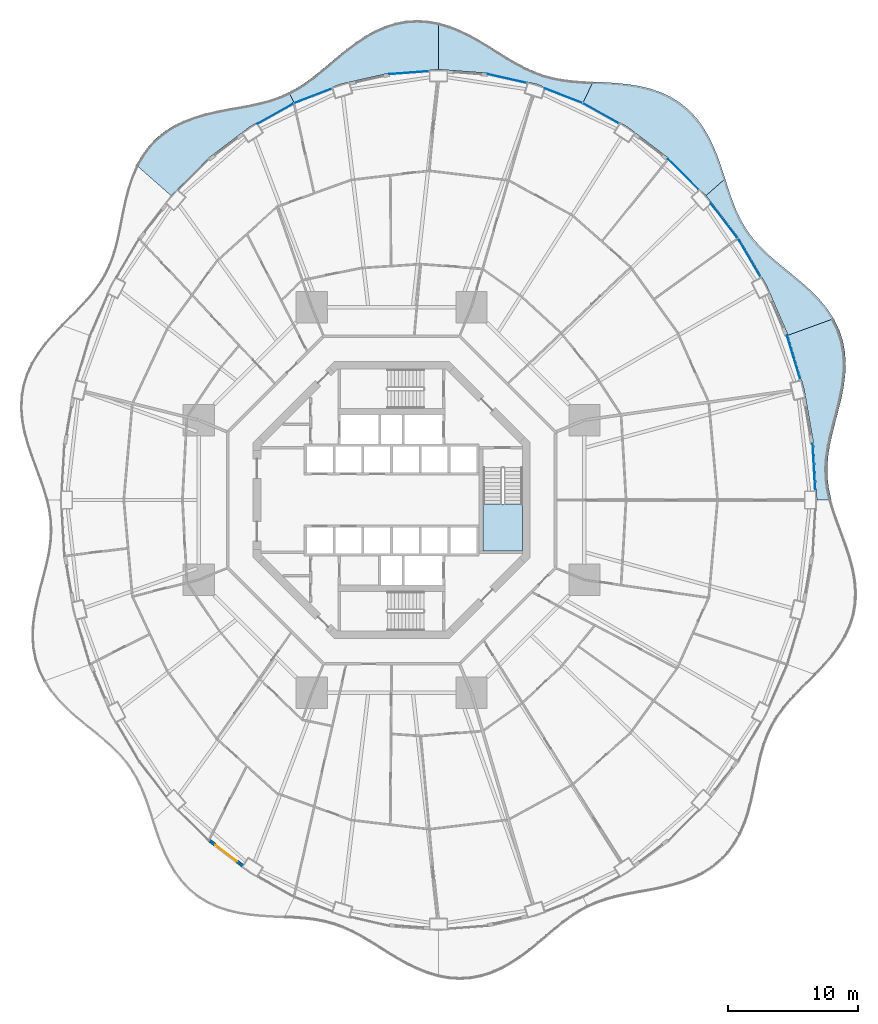
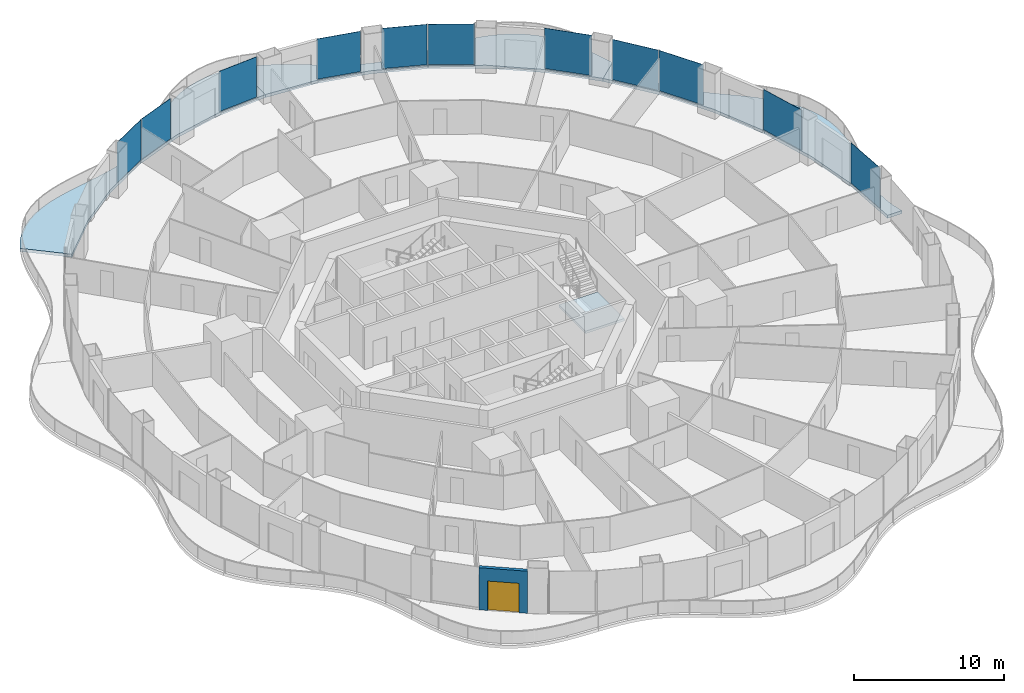
# One storey, part 13 of 22: 11 plates, 7 slabs, 1 door, 1 wall, 1 opening, 12 elements without a shape of their own.
"""IFC4 building model written with IfcOpenShell, lengths in metres."""

from ifc_helpers import new_model, si_unit, direction, frame, frame_2d, origin, origin_2d, place, context, subcontext, project, spatial, polyline, rectangle, outline, extrude, material, layer, layer_set, type_object, element, fill, aggregate, save


model = new_model("IFC4")

# Units and contexts
model_context = context("Model", 3, precision=1e-05, world=origin(), true_north=direction((0.0, 1.0)))
body_context = subcontext(model_context, "Body", "Model", "MODEL_VIEW")
ifc_project = project(units=[si_unit("LENGTHUNIT", "METRE"), si_unit("AREAUNIT", "SQUARE_METRE"), si_unit("VOLUMEUNIT", "CUBIC_METRE"), si_unit("PLANEANGLEUNIT", "RADIAN"), si_unit("MASSUNIT", "GRAM", prefix="KILO")], contexts=[model_context])

# Site, building, storey
site_placement = place(None, origin())
site = spatial("IfcSite", under=ifc_project, at=site_placement, CompositionType="ELEMENT")
building_placement = place(site_placement, origin())
building = spatial("IfcBuilding", under=site, at=building_placement, Name="Nagisa Residences", CompositionType="ELEMENT")
storey_placement = place(building_placement, frame((0.0, 0.0, 41.800048828125)))
storey = spatial("IfcBuildingStorey", under=building, at=storey_placement, Name="L09", CompositionType="ELEMENT", Elevation=41.800048828125)

# Slabs
ifc_material_1 = material(Name="Concrete C40/50", Category="concrete")
ifc_layer_1 = layer(ifc_material_1, 0.25)
ifc_layer_set_1 = layer_set([ifc_layer_1], Name="BALCONY SLAB 250")
slab_type_1 = type_object("IfcSlabType", Name="BALCONY SLAB 250", PredefinedType="FLOOR", material=ifc_layer_set_1)
slab_1_placement = place(storey_placement, frame((0.0, 0.0, -0.25)))
element("IfcSlab", 1, at=slab_1_placement, inside=storey, type_object=slab_type_1, Name="slab:L09:bal00", PredefinedType="FLOOR", context=body_context, shape_type="SweptSolid", body=[
    extrude(outline(polyline([(33.70654296875, 0.0), (33.52392578125, 0.8251953125), (33.418701171875, 1.646728515625), (33.39599609375, 2.470703125), (33.4541015625, 3.302734375), (33.583984375, 4.148193359375), (33.77099609375, 5.0107421875), (33.9951171875, 5.891845703125), (34.232666015625, 6.791259765625), (34.457763671875, 7.705322265625), (34.644287109375, 8.62890625), (34.76806640625, 9.554443359375), (34.8076171875, 10.4736328125), (34.746826171875, 11.376708984375), (34.574951171875, 12.254150390625), (34.288330078125, 13.097900390625), (33.889404296875, 13.9013671875), (30.392578125, 12.628662109375), (31.61181640625, 8.541015625), (32.351806640625, 4.307373046875), (32.60009765625, 0.0), (33.70654296875, 0.0)])), origin(), (0.0, 0.0, 1.0), 0.25),
])
slab_2_placement = place(storey_placement, frame((0.0, 0.0, -0.25)))
element("IfcSlab", 2, at=slab_2_placement, inside=storey, type_object=slab_type_1, Name="slab:L09:bal01", PredefinedType="FLOOR", context=body_context, shape_type="SweptSolid", body=[
    extrude(outline(polyline([(33.889404296875, 13.9013671875), (33.404541015625, 14.6376953125), (32.836669921875, 15.331298828125), (32.203369140625, 15.98388671875), (31.525146484375, 16.6005859375), (30.82421875, 17.18896484375), (30.12255859375, 17.75830078125), (29.440673828125, 18.320556640625), (28.796142578125, 18.8876953125), (28.20263671875, 19.4716796875), (27.669189453125, 20.083984375), (27.198974609375, 20.733154296875), (26.79052734375, 21.425537109375), (26.4365234375, 22.163818359375), (26.12548828125, 22.94677734375), (25.84228515625, 23.7685546875), (25.5693359375, 24.620361328125), (24.106201171875, 23.33447265625), (26.607177734375, 20.089111328125), (28.71484375, 16.5), (30.392578125, 12.628662109375), (33.889404296875, 13.9013671875)])), origin(), (0.0, 0.0, 1.0), 0.25),
])
slab_3_placement = place(storey_placement, frame((0.0, 0.0, -0.25)))
element("IfcSlab", 3, at=slab_3_placement, inside=storey, type_object=slab_type_1, Name="slab:L09:bal02", PredefinedType="FLOOR", context=body_context, shape_type="SweptSolid", body=[
    extrude(outline(polyline([(25.5693359375, 24.620361328125), (25.30126953125, 25.4482421875), (25.00927734375, 26.277587890625), (24.67822265625, 27.09375), (24.295654296875, 27.880859375), (23.851318359375, 28.623046875), (23.339111328125, 29.306396484375), (22.75634765625, 29.91845703125), (22.10400390625, 30.450439453125), (21.386962890625, 30.897216796875), (20.613525390625, 31.25732421875), (19.793701171875, 31.534423828125), (18.93994140625, 31.73583984375), (18.065185546875, 31.873046875), (17.18212890625, 31.960693359375), (16.302978515625, 32.01611328125), (15.4375, 32.0576171875), (14.69775390625, 30.488037109375), (18.10009765625, 28.578857421875), (21.254150390625, 26.1806640625), (24.106201171875, 23.33447265625), (25.5693359375, 24.620361328125)])), origin(), (0.0, 0.0, 1.0), 0.25),
])
slab_4_placement = place(storey_placement, frame((0.0, 0.0, -0.25)))
element("IfcSlab", 4, at=slab_4_placement, inside=storey, type_object=slab_type_1, Name="slab:L09:bal03", PredefinedType="FLOOR", context=body_context, shape_type="SweptSolid", body=[
    extrude(outline(polyline([(15.4375, 32.0576171875), (14.623779296875, 32.101806640625), (13.83447265625, 32.166259765625), (13.0712890625, 32.264892578125), (12.333984375, 32.408935546875), (11.619140625, 32.606201171875), (10.922119140625, 32.860107421875), (10.236328125, 33.17041015625), (9.5546875, 33.53173828125), (8.869873046875, 33.93505859375), (8.175048828125, 34.3671875), (7.464599609375, 34.812744140625), (6.734375, 35.25341796875), (5.981689453125, 35.670166015625), (5.206787109375, 36.0439453125), (4.41162109375, 36.35693359375), (3.60009765625, 36.593505859375), (3.60009765625, 33.0), (7.38525390625, 32.7177734375), (11.105712890625, 31.87548828125), (14.69775390625, 30.488037109375), (15.4375, 32.0576171875)])), origin(), (0.0, 0.0, 1.0), 0.25),
])
slab_5_placement = place(storey_placement, frame((0.0, 0.0, -0.25)))
element("IfcSlab", 5, at=slab_5_placement, inside=storey, type_object=slab_type_1, Name="slab:L09:bal04", PredefinedType="FLOOR", context=body_context, shape_type="SweptSolid", body=[
    extrude(outline(polyline([(3.60009765625, 36.593505859375), (2.777587890625, 36.740966796875), (1.951171875, 36.790771484375), (1.1279296875, 36.73828125), (0.315673828125, 36.583740234375), (-0.479248046875, 36.33251953125), (-1.251220703125, 35.9931640625), (-1.996337890625, 35.57861328125), (-2.712646484375, 35.10498046875), (-3.400634765625, 34.589599609375), (-4.063232421875, 34.051513671875), (-4.704833984375, 33.509521484375), (-5.33203125, 32.98095703125), (-5.952880859375, 32.48095703125), (-6.57568359375, 32.02197265625), (-7.208984375, 31.61279296875), (-7.860595703125, 31.2578125), (-7.497802734375, 30.488037109375), (-3.90576171875, 31.87548828125), (-0.185302734375, 32.7177734375), (3.60009765625, 33.0), (3.60009765625, 36.593505859375)])), origin(), (0.0, 0.0, 1.0), 0.25),
])
slab_6_placement = place(storey_placement, frame((0.0, 0.0, -0.25)))
element("IfcSlab", 6, at=slab_6_placement, inside=storey, type_object=slab_type_1, Name="slab:L09:bal05", PredefinedType="FLOOR", context=body_context, shape_type="SweptSolid", body=[
    extrude(outline(polyline([(-7.860595703125, 31.2578125), (-8.563232421875, 30.947509765625), (-9.29736328125, 30.691650390625), (-10.065673828125, 30.482177734375), (-10.866943359375, 30.306396484375), (-11.697021484375, 30.14990234375), (-12.54833984375, 29.995361328125), (-13.410888671875, 29.82568359375), (-14.272216796875, 29.623779296875), (-15.118408203125, 29.374755859375), (-15.934814453125, 29.065185546875), (-16.707275390625, 28.68603515625), (-17.423583984375, 28.230712890625), (-18.07275390625, 27.69775390625), (-18.64794921875, 27.089111328125), (-19.14501953125, 26.41064453125), (-19.564697265625, 25.6708984375), (-16.906005859375, 23.33447265625), (-14.05419921875, 26.1806640625), (-10.89990234375, 28.578857421875), (-7.497802734375, 30.488037109375), (-7.860595703125, 31.2578125)])), origin(), (0.0, 0.0, 1.0), 0.25),
])

# Curtain wall, plate
ifc_material_2 = material(Name="Concrete-coloured aluminium curtain wall system", Category="concrete")
ifc_layer_2 = layer(ifc_material_2, 0.159912109375)
ifc_layer_set_2 = layer_set([ifc_layer_2], Name="CW1 CURTAIN WALL")
curtain_wall_type = type_object("IfcCurtainWallType", Name="CW1 CURTAIN WALL", PredefinedType="NOTDEFINED", material=ifc_layer_set_2)
curtain_wall_1_placement = place(storey_placement, origin())
curtain_wall_1 = element("IfcCurtainWall", 7, at=curtain_wall_1_placement, inside=storey, type_object=curtain_wall_type, Name="cw:CW1:L09:00", PredefinedType="NOTDEFINED")
ifc_material_3 = material(Name="Clear laminated glass", Category="glass")
ifc_layer_3 = layer(ifc_material_3, 0.028076171875)
ifc_layer_set_3 = layer_set([ifc_layer_3], Name="CW1 GLASS PANEL")
plate_type = type_object("IfcPlateType", Name="CW1 GLASS PANEL", PredefinedType="CURTAIN_PANEL", material=ifc_layer_set_3)
plate_1_placement = place(storey_placement, frame((32.374267578125, 2.528564453125, 0.14990234375), z_axis=(0.0, 0.0, 1.0), x_axis=(-0.057503492216, 0.998345305184, 0.0)))
plate_1 = element("IfcPlate", 8, at=plate_1_placement, type_object=plate_type, Name="CW1 panel", PredefinedType="CURTAIN_PANEL", context=body_context, shape_type="SweptSolid", body=[
    extrude(rectangle(XDim=3.554443359375, YDim=0.028076171875, at=origin_2d()), origin(), (0.0, 0.0, 1.0), 3.2900390625),
])
aggregate(curtain_wall_1, [plate_1])

curtain_wall_2_placement = place(storey_placement, origin())
curtain_wall_2 = element("IfcCurtainWall", 9, at=curtain_wall_2_placement, inside=storey, type_object=curtain_wall_type, Name="cw:CW1:L09:02", PredefinedType="NOTDEFINED")
plate_2_placement = place(storey_placement, frame((30.81689453125, 10.926025390625, 0.14990234375), z_axis=(0.0, 0.0, 1.0), x_axis=(-0.285860274038, 0.958271310082, 0.0)))
plate_2 = element("IfcPlate", 10, at=plate_2_placement, type_object=plate_type, Name="CW1 panel", PredefinedType="CURTAIN_PANEL", context=body_context, shape_type="SweptSolid", body=[
    extrude(rectangle(XDim=3.505615234375, YDim=0.028076171875, at=origin_2d()), origin(), (0.0, 0.0, 1.0), 3.2900390625),
])
aggregate(curtain_wall_2, [plate_2])

curtain_wall_3_placement = place(storey_placement, origin())
curtain_wall_3 = element("IfcCurtainWall", 11, at=curtain_wall_3_placement, inside=storey, type_object=curtain_wall_type, Name="cw:CW1:L09:04", PredefinedType="NOTDEFINED")
plate_3_placement = place(storey_placement, frame((27.399658203125, 18.581787109375, 0.14990234375), z_axis=(0.0, 0.0, 1.0), x_axis=(-0.506348567002, 0.862328898214, 0.0)))
plate_3 = element("IfcPlate", 12, at=plate_3_placement, type_object=plate_type, Name="CW1 panel", PredefinedType="CURTAIN_PANEL", context=body_context, shape_type="SweptSolid", body=[
    extrude(rectangle(XDim=3.402099609375, YDim=0.028076171875, at=origin_2d()), origin(), (0.0, 0.0, 1.0), 3.2900390625),
])
aggregate(curtain_wall_3, [plate_3])

curtain_wall_4_placement = place(storey_placement, origin())
curtain_wall_4 = element("IfcCurtainWall", 13, at=curtain_wall_4_placement, inside=storey, type_object=curtain_wall_type, Name="cw:CW1:L09:05", PredefinedType="NOTDEFINED")
plate_4_placement = place(storey_placement, frame((25.488525390625, 21.409423828125, 0.14990234375), z_axis=(0.0, 0.0, 1.0), x_axis=(-0.610429828235, 0.792070340816, 0.0)))
plate_4 = element("IfcPlate", 14, at=plate_4_placement, type_object=plate_type, Name="CW1 panel", PredefinedType="CURTAIN_PANEL", context=body_context, shape_type="SweptSolid", body=[
    extrude(rectangle(XDim=3.33740234375, YDim=0.028076171875, at=origin_2d()), origin(), (0.0, 0.0, 1.0), 3.2900390625),
])
aggregate(curtain_wall_4, [plate_4])

curtain_wall_5_placement = place(storey_placement, origin())
curtain_wall_5 = element("IfcCurtainWall", 15, at=curtain_wall_5_placement, inside=storey, type_object=curtain_wall_type, Name="cw:CW1:L09:06", PredefinedType="NOTDEFINED")
plate_5_placement = place(storey_placement, frame((22.3544921875, 24.969482421875, 0.14990234375), z_axis=(0.0, 0.0, 1.0), x_axis=(-0.707835924016, 0.706376885714, 0.0)))
plate_5 = element("IfcPlate", 16, at=plate_5_placement, type_object=plate_type, Name="CW1 panel", PredefinedType="CURTAIN_PANEL", context=body_context, shape_type="SweptSolid", body=[
    extrude(rectangle(XDim=3.269287109375, YDim=0.028076171875, at=origin_2d()), origin(), (0.0, 0.0, 1.0), 3.2900390625),
])
aggregate(curtain_wall_5, [plate_5])

curtain_wall_6_placement = place(storey_placement, origin())
curtain_wall_6 = element("IfcCurtainWall", 17, at=curtain_wall_6_placement, inside=storey, type_object=curtain_wall_type, Name="cw:CW1:L09:08", PredefinedType="NOTDEFINED")
plate_6_placement = place(storey_placement, frame((16.0283203125, 29.649658203125, 0.14990234375), z_axis=(0.0, 0.0, 1.0), x_axis=(-0.872072377523, 0.489376918501, 0.0)))
plate_6 = element("IfcPlate", 18, at=plate_6_placement, type_object=plate_type, Name="CW1 panel", PredefinedType="CURTAIN_PANEL", context=body_context, shape_type="SweptSolid", body=[
    extrude(rectangle(XDim=3.141357421875, YDim=0.028076171875, at=origin_2d()), origin(), (0.0, 0.0, 1.0), 3.2900390625),
])
aggregate(curtain_wall_6, [plate_6])

curtain_wall_7_placement = place(storey_placement, origin())
curtain_wall_7 = element("IfcCurtainWall", 19, at=curtain_wall_7_placement, inside=storey, type_object=curtain_wall_type, Name="cw:CW1:L09:09", PredefinedType="NOTDEFINED")
plate_7_placement = place(storey_placement, frame((13.17138671875, 30.991943359375, 0.14990234375), z_axis=(0.0, 0.0, 1.0), x_axis=(-0.932825759707, 0.360327770268, 0.0)))
plate_7 = element("IfcPlate", 20, at=plate_7_placement, type_object=plate_type, Name="CW1 panel", PredefinedType="CURTAIN_PANEL", context=body_context, shape_type="SweptSolid", body=[
    extrude(rectangle(XDim=3.0908203125, YDim=0.028076171875, at=origin_2d()), origin(), (0.0, 0.0, 1.0), 3.2900390625),
])
aggregate(curtain_wall_7, [plate_7])

curtain_wall_8_placement = place(storey_placement, origin())
curtain_wall_8 = element("IfcCurtainWall", 21, at=curtain_wall_8_placement, inside=storey, type_object=curtain_wall_type, Name="cw:CW1:L09:10", PredefinedType="NOTDEFINED")
plate_8_placement = place(storey_placement, frame((8.857177734375, 32.302490234375, 0.14990234375), z_axis=(0.0, 0.0, 1.0), x_axis=(-0.975327274089, 0.2207639201, 0.0)))
plate_8 = element("IfcPlate", 22, at=plate_8_placement, type_object=plate_type, Name="CW1 panel", PredefinedType="CURTAIN_PANEL", context=body_context, shape_type="SweptSolid", body=[
    extrude(rectangle(XDim=3.0546875, YDim=0.028076171875, at=origin_2d()), origin(), (0.0, 0.0, 1.0), 3.2900390625),
])
aggregate(curtain_wall_8, [plate_8])

curtain_wall_9_placement = place(storey_placement, origin())
curtain_wall_9 = element("IfcCurtainWall", 23, at=curtain_wall_9_placement, inside=storey, type_object=curtain_wall_type, Name="cw:CW1:L09:12", PredefinedType="NOTDEFINED")
plate_9_placement = place(storey_placement, frame((1.33447265625, 32.750732421875, 0.14990234375), z_axis=(0.0, 0.0, 1.0), x_axis=(-0.997230168512, -0.074377355493, 0.0)))
plate_9 = element("IfcPlate", 24, at=plate_9_placement, type_object=plate_type, Name="CW1 panel", PredefinedType="CURTAIN_PANEL", context=body_context, shape_type="SweptSolid", body=[
    extrude(rectangle(XDim=3.035888671875, YDim=0.028076171875, at=origin_2d()), origin(), (0.0, 0.0, 1.0), 3.2900390625),
])
aggregate(curtain_wall_9, [plate_9])

curtain_wall_10_placement = place(storey_placement, origin())
curtain_wall_10 = element("IfcCurtainWall", 25, at=curtain_wall_10_placement, inside=storey, type_object=curtain_wall_type, Name="cw:CW1:L09:14", PredefinedType="NOTDEFINED")
plate_10_placement = place(storey_placement, frame((-6.02734375, 30.97021484375, 0.14990234375), z_axis=(0.0, 0.0, 1.0), x_axis=(-0.932825759707, -0.360327770268, 0.0)))
plate_10 = element("IfcPlate", 26, at=plate_10_placement, type_object=plate_type, Name="CW1 panel", PredefinedType="CURTAIN_PANEL", context=body_context, shape_type="SweptSolid", body=[
    extrude(rectangle(XDim=3.0908203125, YDim=0.028076171875, at=origin_2d()), origin(), (0.0, 0.0, 1.0), 3.2900390625),
])
aggregate(curtain_wall_10, [plate_10])

curtain_wall_11_placement = place(storey_placement, origin())
curtain_wall_11 = element("IfcCurtainWall", 27, at=curtain_wall_11_placement, inside=storey, type_object=curtain_wall_type, Name="cw:CW1:L09:15", PredefinedType="NOTDEFINED")
plate_11_placement = place(storey_placement, frame((-8.880615234375, 29.620361328125, 0.14990234375), z_axis=(0.0, 0.0, 1.0), x_axis=(-0.872072377523, -0.489376918501, 0.0)))
plate_11 = element("IfcPlate", 28, at=plate_11_placement, type_object=plate_type, Name="CW1 panel", PredefinedType="CURTAIN_PANEL", context=body_context, shape_type="SweptSolid", body=[
    extrude(rectangle(XDim=3.141357421875, YDim=0.028076171875, at=origin_2d()), origin(), (0.0, 0.0, 1.0), 3.2900390625),
])
aggregate(curtain_wall_11, [plate_11])

# Stair, slab
ifc_material_4 = material(Name="Concrete C60", Category="concrete")
stair_type = type_object("IfcStairType", Name="Exit stair", PredefinedType="HALF_TURN_STAIR", material=ifc_material_4)
stair_placement = place(storey_placement, origin())
stair = element("IfcStair", 29, at=stair_placement, inside=storey, type_object=stair_type, Name="L09 Exit stair E", PredefinedType="HALF_TURN_STAIR")
ifc_material_5 = material(Name="Concrete C60", Category="concrete")
ifc_layer_4 = layer(ifc_material_5, 0.199951171875)
ifc_layer_set_4 = layer_set([ifc_layer_4], Name="Stair landing")
slab_type_2 = type_object("IfcSlabType", Name="Stair landing", PredefinedType="LANDING", material=ifc_layer_set_4)
slab_7_placement = place(storey_placement, frame((0.0, 0.0, 1.64990234375)))
slab_7 = element("IfcSlab", 30, at=slab_7_placement, type_object=slab_type_2, Name="ST-E landing 1", PredefinedType="LANDING", context=body_context, shape_type="SweptSolid", body=[
    extrude(outline(polyline([(7.024658203125, -0.324951171875), (7.024658203125, -3.89990234375), (10.024658203125, -3.89990234375), (10.024658203125, -0.324951171875), (7.024658203125, -0.324951171875)])), origin(), (0.0, 0.0, 1.0), 0.199951171875),
])
aggregate(stair, [slab_7])

# Wall, opening, door
ifc_material_6 = material(Name="Precast concrete C40/50", Category="concrete")
ifc_layer_5 = layer(ifc_material_6, 0.25)
ifc_layer_set_5 = layer_set([ifc_layer_5], Name="BALCONY DOOR WALL 250")
wall_type = type_object("IfcWallType", Name="BALCONY DOOR WALL 250", PredefinedType="SOLIDWALL", material=ifc_layer_set_5)
wall_placement = place(storey_placement, frame((-11.381591796875, -28.0556640625, 0.0), z_axis=(0.0, 0.0, 1.0), x_axis=(-0.796022293214, 0.605267303517, 0.0)))
wall = element("IfcWall", 31, at=wall_placement, inside=storey, type_object=wall_type, Name="wall:L09:bay31", PredefinedType="SOLIDWALL", context=body_context, shape_type="SweptSolid", body=[
    extrude(rectangle(XDim=3.262451171875, YDim=0.25, at=frame_2d((1.63134765625, 0.0))), origin(), (0.0, 0.0, 1.0), 3.43994140625),
])
opening_placement = place(wall_placement, frame((0.5810546875, 0.0, 0.0)))
opening = element("IfcOpeningElement", 32, at=opening_placement, cuts=wall, Name="Opening BD-L09-11", PredefinedType="OPENING", context=body_context, shape_type="SweptSolid", body=[
    extrude(rectangle(XDim=2.10009765625, YDim=2.39990234375, at=frame_2d((1.050048828125, 1.199951171875))), frame((0.0, 0.135009765625, 0.0), z_axis=(0.0, -1.0, 0.0), x_axis=(1.0, 0.0, 0.0)), (0.0, 0.0, 1.0), 0.27001953125),
])
ifc_material_7 = material(Name="Aluminium and clear glass", Category="aluminium")
door_type = type_object("IfcDoorType", Name="BALCONY SLIDING DOOR 2100x2400", OperationType="SLIDING_TO_LEFT", PredefinedType="DOOR", material=ifc_material_7)
door_placement = place(opening_placement, origin())
door = element("IfcDoor", 33, at=door_placement, inside=storey, type_object=door_type, Name="door:L09:bay31", OperationType="SLIDING_TO_LEFT", OverallHeight=2.39990234375, OverallWidth=2.10009765625, PredefinedType="DOOR", context=body_context, shape_type="SweptSolid", body=[
    extrude(rectangle(XDim=2.10009765625, YDim=2.39990234375, at=frame_2d((1.050048828125, 1.199951171875))), frame((0.0, 0.02490234375, 0.0), z_axis=(0.0, -1.0, 0.0), x_axis=(1.0, 0.0, 0.0)), (0.0, 0.0, 1.0), 0.050048828125),
])
fill(opening, door)

save(model, "model.ifc")
